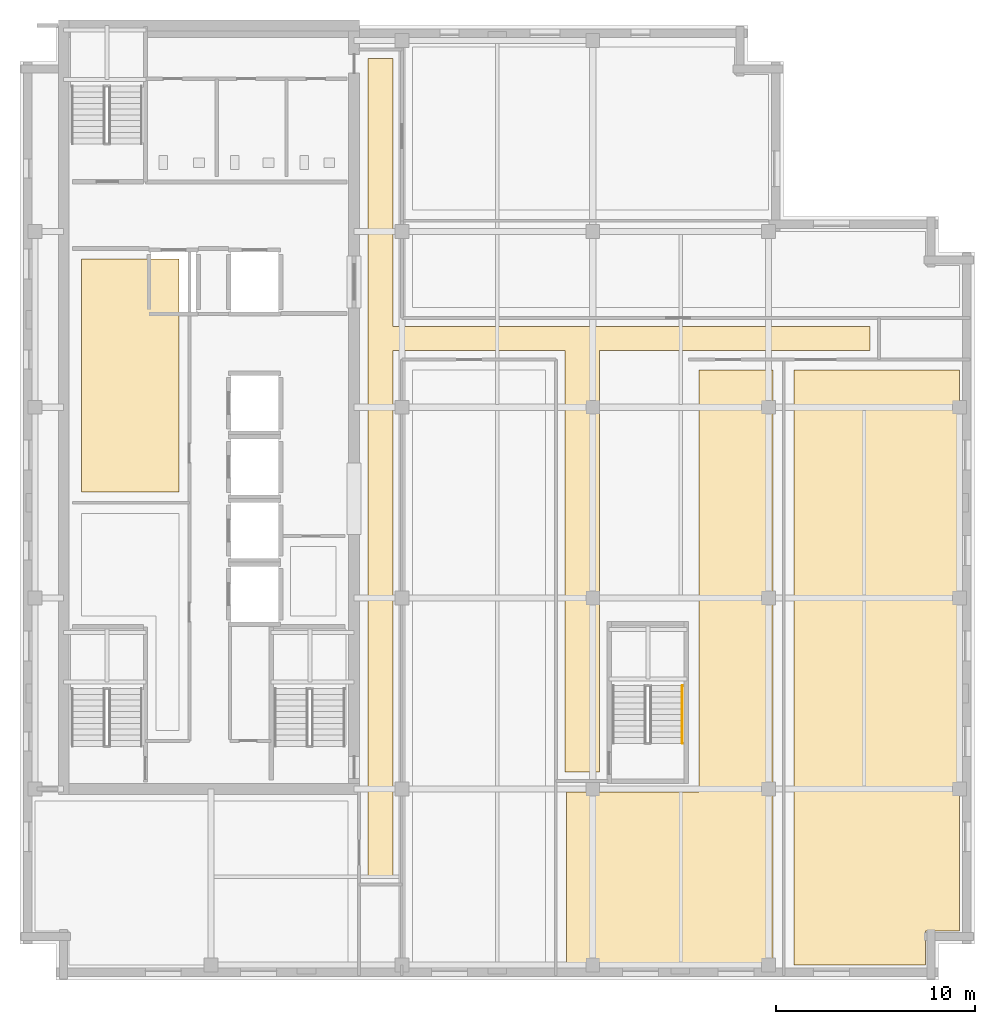
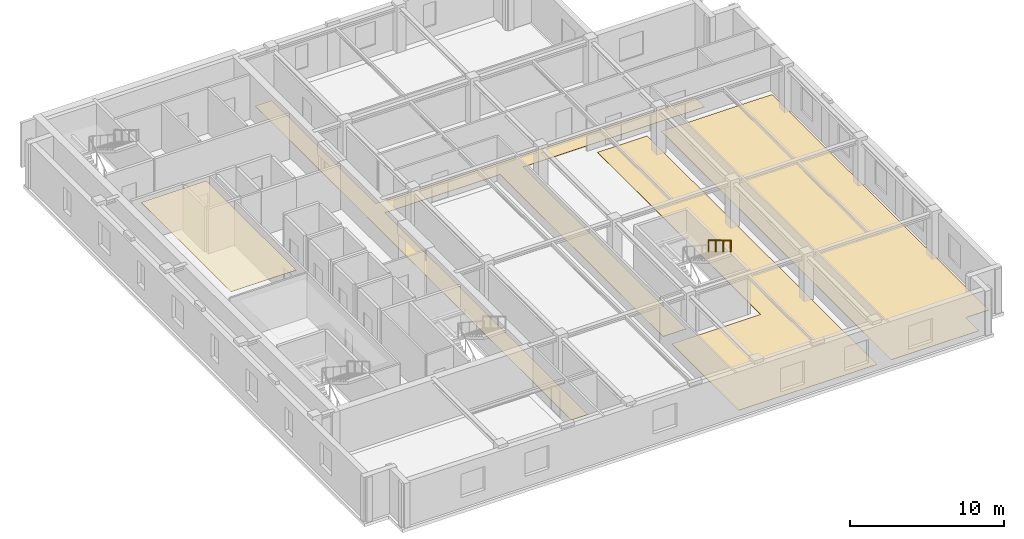
# One storey, part 8 of 11: 4 coverings, 1 railing.
"""IFC4 building model written with IfcOpenShell, lengths in metres."""

import ifcopenshell
import ifcopenshell.guid

model = None  # the IFC model being written
_history = None  # IfcOwnerHistory: only IFC2X3 demands one
_inside = {}  # id of a spatial element -> (the spatial element, [elements in it])
_under = {}  # id of a project, library or spatial element -> (it, [spatial elements below it])
_declared = {}  # id of a project -> (the project, [libraries it declares])
_typed = {}  # id of a type object -> (the type object, [elements of that type])
_made_of = {}  # id of a material, layer set ... -> (it, [elements and type objects made of it])


def new_model(schema):
    """Start an empty IFC model of exactly this schema.

    Asked for "IFC4X3", IfcOpenShell would pick the latest addendum, in which some entities
    have other attributes; the version numbers below select the first issue.
    IFC2X3 requires an IfcOwnerHistory on every rooted entity: one is made here for all.
    """
    global model, _history
    if schema == "IFC4X3":
        model = ifcopenshell.file(schema_version=(4, 3, 0, 0))
    else:
        model = ifcopenshell.file(schema=schema)
    _inside.clear()
    _under.clear()
    _declared.clear()
    _typed.clear()
    _made_of.clear()
    _history = None
    if model.schema == "IFC2X3":
        org = make("IfcOrganization", Name="unknown")
        user = make(
            "IfcPersonAndOrganization",
            ThePerson=make("IfcPerson", FamilyName="unknown"),
            TheOrganization=org,
        )
        app = make(
            "IfcApplication",
            ApplicationDeveloper=org,
            Version="unknown",
            ApplicationFullName="unknown",
            ApplicationIdentifier="unknown",
        )
        _history = make(
            "IfcOwnerHistory",
            OwningUser=user,
            OwningApplication=app,
            ChangeAction="ADDED",
            CreationDate=0,
        )
    return model


def make(cls, **values):
    """One entity of the class cls with the attributes given. An attribute that is None is left unset."""
    return model.create_entity(
        cls, **{name: value for name, value in values.items() if value is not None}
    )


def rooted(cls, **values):
    """An entity with a GlobalId (a new one), such as an element, a storey or a relation."""
    return make(cls, GlobalId=ifcopenshell.guid.new(), OwnerHistory=_history, **values)


def si_unit(unit_type, name, prefix=None):
    """IfcSIUnit, for example si_unit("LENGTHUNIT", "METRE", prefix="MILLI")."""
    return make("IfcSIUnit", UnitType=unit_type, Prefix=prefix, Name=name)


def assignment(units):
    """IfcUnitAssignment: the units of a project."""
    return None if units is None else make("IfcUnitAssignment", Units=units)


def point(xyz):
    """IfcCartesianPoint."""
    return None if xyz is None else make("IfcCartesianPoint", Coordinates=xyz)


def direction(xyz):
    """IfcDirection."""
    return None if xyz is None else make("IfcDirection", DirectionRatios=xyz)


def frame(location, z_axis=None, x_axis=None):
    """IfcAxis2Placement3D, a coordinate frame: its origin and axes. An axis left out is left unset."""
    return make(
        "IfcAxis2Placement3D",
        Location=point(location),
        Axis=direction(z_axis),
        RefDirection=direction(x_axis),
    )


def frame_2d(location, x_axis=None):
    """IfcAxis2Placement2D, a coordinate frame in the plane: its origin and x axis."""
    return make(
        "IfcAxis2Placement2D", Location=point(location), RefDirection=direction(x_axis)
    )


def origin():
    """The frame at (0, 0, 0) with its axes left unset."""
    return frame((0.0, 0.0, 0.0))


def origin_2d():
    """The frame at (0, 0) in the plane with its x axis left unset."""
    return frame_2d((0.0, 0.0))


def place(relative_to, where):
    """IfcLocalPlacement: puts the frame where relative to a parent placement (None: the world)."""
    return make(
        "IfcLocalPlacement", PlacementRelTo=relative_to, RelativePlacement=where
    )


def context(
    kind, dimensions, precision=None, world=None, true_north=None, identifier=None
):
    """IfcGeometricRepresentationContext, for example the 3D "Model" context."""
    return make(
        "IfcGeometricRepresentationContext",
        ContextIdentifier=identifier,
        ContextType=kind,
        CoordinateSpaceDimension=dimensions,
        Precision=precision,
        WorldCoordinateSystem=world,
        TrueNorth=true_north,
    )


def subcontext(parent, identifier, kind, view, scale=None):
    """IfcGeometricRepresentationSubContext, for example "Body" below "Model"."""
    return make(
        "IfcGeometricRepresentationSubContext",
        ContextIdentifier=identifier,
        ContextType=kind,
        ParentContext=parent,
        TargetScale=scale,
        TargetView=view,
    )


def project(units=None, contexts=None):
    """IfcProject with its units and contexts."""
    return rooted(
        "IfcProject",
        Name="project",
        RepresentationContexts=contexts,
        UnitsInContext=assignment(units),
    )


def spatial(cls, under=None, at=None, **own):
    """A site, building, storey or space (cls), placed at a placement, below another one or the project."""
    s = rooted(cls, ObjectPlacement=at, **own)
    if under is not None:
        _under.setdefault(under.id(), (under, []))[1].append(s)
    return s


def polyline(points):
    """IfcPolyline through the points."""
    return make("IfcPolyline", Points=[point(p) for p in points])


def profile(cls, at=None, kind="AREA", **sizes):
    """A parametric profile (cls). Its sizes go by their IFC names, for example OverallWidth=200.0."""
    return make(cls, ProfileType=kind, Position=at, **sizes)


def circle(**sizes):
    """IfcCircleProfileDef."""
    return profile("IfcCircleProfileDef", **sizes)


def outline(outer, holes=None, kind="AREA"):
    """IfcArbitraryClosedProfileDef: a profile drawn as a closed curve; with holes, ...WithVoids."""
    if holes is None:
        return make("IfcArbitraryClosedProfileDef", ProfileType=kind, OuterCurve=outer)
    return make(
        "IfcArbitraryProfileDefWithVoids",
        ProfileType=kind,
        OuterCurve=outer,
        InnerCurves=holes,
    )


def extrude(swept, where, along, depth):
    """IfcExtrudedAreaSolid: the profile swept, set in the frame where, extruded along a direction by depth."""
    return make(
        "IfcExtrudedAreaSolid",
        SweptArea=swept,
        Position=where,
        ExtrudedDirection=direction(along),
        Depth=depth,
    )


def shape(context_of_items, identifier, shape_type, items):
    """IfcShapeRepresentation: the items that make up one representation, for example the "Body"."""
    return make(
        "IfcShapeRepresentation",
        ContextOfItems=context_of_items,
        RepresentationIdentifier=identifier,
        RepresentationType=shape_type,
        Items=items,
    )


def material(Name=None, Category=None):
    """IfcMaterial."""
    return make("IfcMaterial", Name=Name, Category=Category)


def layer(
    of_material, thickness, ventilated=None, Name=None, Category=None, Priority=None
):
    """IfcMaterialLayer: one layer of a wall or slab, of a material (None: an air gap)."""
    return make(
        "IfcMaterialLayer",
        Material=of_material,
        LayerThickness=thickness,
        IsVentilated=ventilated,
        Name=Name,
        Category=Category,
        Priority=Priority,
    )


def layer_set(layers, Name=None):
    """IfcMaterialLayerSet."""
    return make("IfcMaterialLayerSet", MaterialLayers=layers, LayerSetName=Name)


def made_of(thing, what):
    """Note that an element or type object is made of a material, layer set ...; save() writes the relation."""
    if what is not None:
        _made_of.setdefault(what.id(), (what, []))[1].append(thing)
    return thing


def type_object(cls, material=None, **own):
    """A type object (cls), such as IfcWallType, which elements share."""
    return made_of(rooted(cls, **own), material)


def element(
    cls,
    number,
    at=None,
    inside=None,
    cuts=None,
    type_object=None,
    material=None,
    context=None,
    identifier="Body",
    shape_type=None,
    held_by="IfcProductDefinitionShape",
    body=None,
    shapes=None,
    **own,
):
    """One element of the class cls, such as IfcWall. Its Tag is "e" and its number.

    at: its placement. inside: the storey or other place that contains it. cuts: it is an
    opening in that element (IfcRelVoidsElement). A single representation is given by context,
    identifier, shape_type and body (its items); several are given by shapes. held_by: the class
    of the entity that holds the representations. save() writes the other relations.
    """
    e = rooted(cls, Tag="e%d" % number, ObjectPlacement=at, **own)
    if body is not None:
        shapes = [shape(context, identifier, shape_type, body)]
    if shapes is not None:
        e.Representation = make(held_by, Representations=shapes)
    if inside is not None:
        _inside.setdefault(inside.id(), (inside, []))[1].append(e)
    if cuts is not None:
        rooted(
            "IfcRelVoidsElement", RelatingBuildingElement=cuts, RelatedOpeningElement=e
        )
    if type_object is not None:
        _typed.setdefault(type_object.id(), (type_object, []))[1].append(e)
    return made_of(e, material)


def aggregate(whole, parts):
    """IfcRelAggregates: a whole, such as a stair, and the parts it consists of."""
    return rooted("IfcRelAggregates", RelatingObject=whole, RelatedObjects=parts)


def save(model, path):
    """Write the relations noted so far, then the file.

    IfcRelAggregates (storeys below a building ...), IfcRelContainedInSpatialStructure (elements
    in a storey), IfcRelDefinesByType, IfcRelAssociatesMaterial and IfcRelDeclares: one each for
    every whole, place, type object, material and project.
    """
    for whole, parts in _under.values():
        aggregate(whole, parts)
    for where, things in _inside.values():
        rooted(
            "IfcRelContainedInSpatialStructure",
            RelatedElements=things,
            RelatingStructure=where,
        )
    for kind, things in _typed.values():
        rooted("IfcRelDefinesByType", RelatedObjects=things, RelatingType=kind)
    for what, things in _made_of.values():
        rooted("IfcRelAssociatesMaterial", RelatedObjects=things, RelatingMaterial=what)
    for by, libraries in _declared.values():
        rooted("IfcRelDeclares", RelatingContext=by, RelatedDefinitions=libraries)
    model.write(path)


model = new_model("IFC4")

# Units and contexts
model_context = context("Model", 3, precision=1e-05, world=origin(), true_north=direction((0.0, 1.0)))
body_context = subcontext(model_context, "Body", "Model", "MODEL_VIEW")
ifc_project = project(units=[si_unit("LENGTHUNIT", "METRE"), si_unit("AREAUNIT", "SQUARE_METRE"), si_unit("VOLUMEUNIT", "CUBIC_METRE"), si_unit("PLANEANGLEUNIT", "RADIAN"), si_unit("MASSUNIT", "GRAM", prefix="KILO")], contexts=[model_context])

# Site, building, storey
site_placement = place(None, origin())
site = spatial("IfcSite", under=ifc_project, at=site_placement, CompositionType="ELEMENT")
building_placement = place(site_placement, origin())
building = spatial("IfcBuilding", under=site, at=building_placement, Name="Norrvale University Quadrangle", CompositionType="ELEMENT")
storey_placement = place(building_placement, frame((0.0, 0.0, 300.0)))
storey = spatial("IfcBuildingStorey", under=building, at=storey_placement, Name="L76", CompositionType="ELEMENT", Elevation=300.0)

# Coverings
ifc_material_1 = material(Name="Perforated Acoustic Mineral Ceiling")
ifc_layer_1 = layer(ifc_material_1, 0.02490234375, Name="Perforated Acoustic Mineral Ceiling")
ifc_layer_set_1 = layer_set([ifc_layer_1], Name="Perforated Acoustic Mineral Ceiling")
covering_type_1 = type_object("IfcCoveringType", Name="Covering Acoustic Ceiling 25", PredefinedType="CEILING", material=ifc_layer_set_1)
covering_1_placement = place(storey_placement, frame((0.0, 0.0, 3.514892578125)))
element("IfcCovering", 1, at=covering_1_placement, inside=storey, type_object=covering_type_1, Name="Acoustic Ceiling RM-L76-REC2", PredefinedType="CEILING", context=body_context, shape_type="SweptSolid", body=[
    extrude(outline(polyline([(3.10009765625, 24.550048828125), (3.10009765625, 36.25), (8.0, 36.25), (8.0, 24.550048828125), (3.10009765625, 24.550048828125)])), origin(), (0.0, 0.0, 1.0), 0.025146484375),
])
ifc_material_2 = material(Name="Polished Terrazzo Flooring")
ifc_layer_2 = layer(ifc_material_2, 0.02490234375, Name="Polished Terrazzo Flooring")
ifc_layer_set_2 = layer_set([ifc_layer_2], Name="Polished Terrazzo Flooring")
covering_type_2 = type_object("IfcCoveringType", Name="Covering Terrazzo Floor 30", PredefinedType="FLOORING", material=ifc_layer_set_2)
covering_2_placement = place(storey_placement, origin())
element("IfcCovering", 2, at=covering_2_placement, inside=storey, type_object=covering_type_2, Name="Terrazzo Flooring RM-L76-CORR1", PredefinedType="FLOORING", context=body_context, shape_type="SweptSolid", body=[
    extrude(outline(polyline([(17.5, 5.25), (17.5, 46.35009765625), (18.75, 46.35009765625), (18.75, 32.85009765625), (42.75, 32.85009765625), (42.75, 31.64990234375), (29.1298828125, 31.64990234375), (29.1298828125, 10.449951171875), (27.39990234375, 10.449951171875), (27.39990234375, 31.64990234375), (18.75, 31.64990234375), (18.75, 5.25), (17.5, 5.25)])), origin(), (0.0, 0.0, 1.0), 0.02490234375),
])
covering_3_placement = place(storey_placement, origin())
element("IfcCovering", 3, at=covering_3_placement, inside=storey, type_object=covering_type_2, Name="Terrazzo Flooring RM-L76-SE2", PredefinedType="FLOORING", context=body_context, shape_type="SweptSolid", body=[
    extrude(outline(polyline([(27.47998046875, 9.449951171875), (34.14990234375, 9.449951171875), (34.14990234375, 30.669921875), (37.8701171875, 30.669921875), (37.8701171875, 0.75), (27.47998046875, 0.75), (27.47998046875, 9.449951171875)])), origin(), (0.0, 0.0, 1.0), 0.02490234375),
])
covering_4_placement = place(storey_placement, origin())
element("IfcCovering", 4, at=covering_4_placement, inside=storey, type_object=covering_type_2, Name="Terrazzo Flooring RM-L76-SE3", PredefinedType="FLOORING", context=body_context, shape_type="SweptSolid", body=[
    extrude(outline(polyline([(38.929931640625, 0.75), (38.929931640625, 30.669921875), (47.25, 30.669921875), (47.25, 2.469970703125), (45.530029296875, 2.469970703125), (45.530029296875, 0.75), (38.929931640625, 0.75)])), origin(), (0.0, 0.0, 1.0), 0.02490234375),
])

# Railing
ifc_material_3 = material(Name="Stainless Steel 316L Handrail", Category="steel")
railing_type = type_object("IfcRailingType", Name="Railing Stair Handrail 920", PredefinedType="HANDRAIL", material=ifc_material_3)
railing_placement = place(storey_placement, frame((33.31005859375, 14.800048828125, 2.07275390625)))
element("IfcRailing", 5, at=railing_placement, inside=storey, type_object=railing_type, Name="Stair Upper Flight Handrail ST-04 L76", PredefinedType="HANDRAIL", context=body_context, shape_type="SweptSolid", body=[
    extrude(circle(Radius=0.02392578125, at=origin_2d()), frame((0.0, 0.0, 0.89599609375), z_axis=(0.0, -0.859160404282, 0.51170636083), x_axis=(1.0, 0.0, 0.0)), (0.0, 0.0, 1.0), 3.37548828125),
    extrude(circle(Radius=0.02099609375, at=origin_2d()), origin(), (0.0, 0.0, 1.0), 0.871826171875),
    extrude(circle(Radius=0.02099609375, at=origin_2d()), frame((0.0, -0.966796875, 0.57568359375)), (0.0, 0.0, 1.0), 0.871826171875),
    extrude(circle(Radius=0.02099609375, at=origin_2d()), frame((0.0, -1.933349609375, 1.151611328125)), (0.0, 0.0, 1.0), 0.871826171875),
    extrude(circle(Radius=0.02099609375, at=origin_2d()), frame((0.0, -2.900146484375, 1.727294921875)), (0.0, 0.0, 1.0), 0.871826171875),
])

save(model, "model.ifc")
